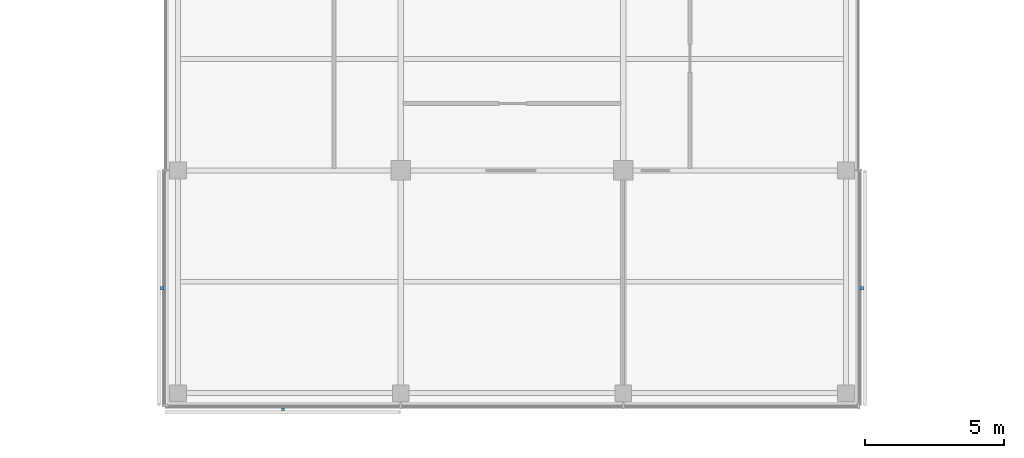
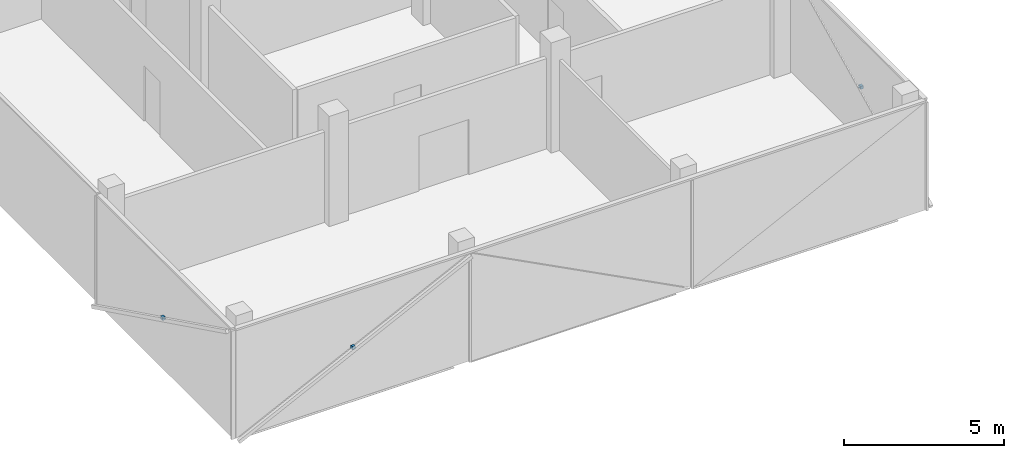
# One storey, part 13 of 15: 3 discrete accessories.
"""IFC4 building model written with IfcOpenShell, lengths in metres."""

from ifc_helpers import new_model, si_unit, direction, frame, origin, origin_2d, place, context, subcontext, project, spatial, rectangle, extrude, material, type_object, element, save


model = new_model("IFC4")

# Units and contexts
model_context = context("Model", 3, precision=1e-05, world=origin(), true_north=direction((0.0, 1.0)))
body_context = subcontext(model_context, "Body", "Model", "MODEL_VIEW")
ifc_project = project(units=[si_unit("LENGTHUNIT", "METRE"), si_unit("AREAUNIT", "SQUARE_METRE"), si_unit("VOLUMEUNIT", "CUBIC_METRE"), si_unit("PLANEANGLEUNIT", "RADIAN"), si_unit("MASSUNIT", "GRAM", prefix="KILO")], contexts=[model_context])

# Site, building, storey
site_placement = place(None, origin())
site = spatial("IfcSite", under=ifc_project, at=site_placement, CompositionType="ELEMENT")
building_placement = place(site_placement, origin())
building = spatial("IfcBuilding", under=site, at=building_placement, Name="Crosswind Convention Tower", CompositionType="ELEMENT")
storey_placement = place(building_placement, frame((0.0, 0.0, 266.10009765625)))
storey = spatial("IfcBuildingStorey", under=building, at=storey_placement, Name="L57", CompositionType="ELEMENT", Elevation=266.10009765625)

# Discrete accessories
ifc_material = material(Name="Stainless steel", Category="steel")
discrete_accessory_type = type_object("IfcDiscreteAccessoryType", Name="BAGUETTE BRACKET BK3", PredefinedType="BRACKET", material=ifc_material)
for number, where, z_axis, x_axis, name in (
    (1, (112.424072265625, 75.77001953125, 1.704833984375), (0.0, 0.0, 1.0), (0.0, -1.0, 0.0), "BK3 baguette bracket"),
    (2, (116.77001953125, 71.424072265625, 1.704833984375), (0.0, 0.0, 1.0), (1.0, 0.0, 0.0), "BK3 baguette bracket"),
    (3, (137.575927734375, 75.77001953125, 1.704833984375), (0.0, 0.0, 1.0), (0.0, 1.0, 0.0), "BK3 baguette bracket"),
):
    element("IfcDiscreteAccessory", number, at=place(storey_placement, frame(where, z_axis=z_axis, x_axis=x_axis)), inside=storey, type_object=discrete_accessory_type, Name=name, PredefinedType="BRACKET", context=body_context, shape_type="SweptSolid", body=[
        extrude(rectangle(XDim=0.1201171875, YDim=0.10009765625, at=origin_2d()), origin(), (0.0, 0.0, 1.0), 0.1201171875),
    ])

save(model, "model.ifc")
